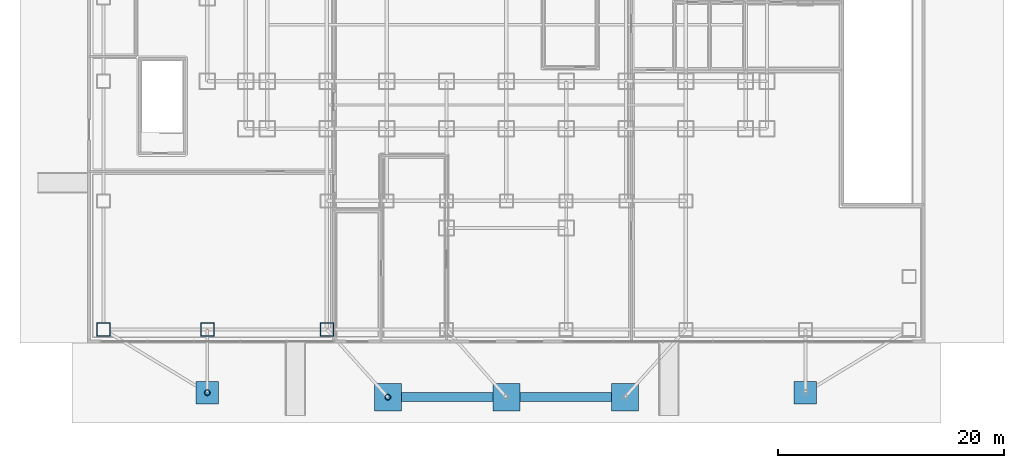
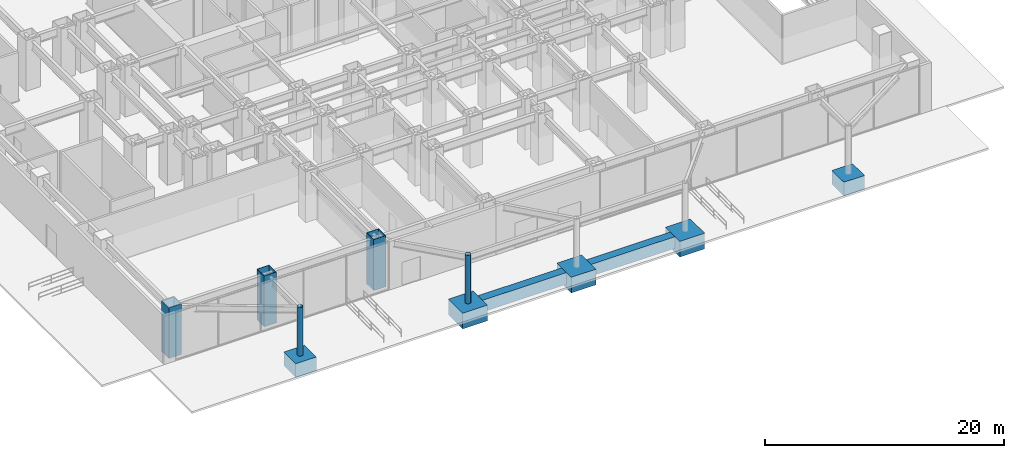
# One storey, part 1 of 18: 7 footings, 5 columns.
"""IFC4 building model written with IfcOpenShell, lengths in metres."""

from ifc_helpers import new_model, si_unit, direction, frame, origin, origin_2d, place, context, subcontext, project, spatial, polyline, hollow_rectangle, hollow_circle, outline, extrude, material, layer, layer_set, material_profile, profile_set, type_object, element, save


model = new_model("IFC4")

# Units and contexts
model_context = context("Model", 3, precision=1e-05, world=origin(), true_north=direction((0.0, 1.0)))
body_context = subcontext(model_context, "Body", "Model", "MODEL_VIEW")
ifc_project = project(units=[si_unit("LENGTHUNIT", "METRE"), si_unit("AREAUNIT", "SQUARE_METRE"), si_unit("VOLUMEUNIT", "CUBIC_METRE"), si_unit("PLANEANGLEUNIT", "RADIAN"), si_unit("MASSUNIT", "GRAM", prefix="KILO")], contexts=[model_context])

# Site, building, storey
site_placement = place(None, origin())
site = spatial("IfcSite", under=ifc_project, at=site_placement, CompositionType="ELEMENT")
building_placement = place(site_placement, origin())
building = spatial("IfcBuilding", under=site, at=building_placement, Name="Qianlan Lanfeng Residences", CompositionType="ELEMENT")
storey_placement = place(building_placement, origin())
storey = spatial("IfcBuildingStorey", under=building, at=storey_placement, Name="L00", CompositionType="ELEMENT", Elevation=0.0)

# Footings
ifc_material_1 = material(Name="Concrete C49", Category="concrete")
ifc_layer_1 = layer(ifc_material_1, 1.199951171875)
ifc_layer_set_1 = layer_set([ifc_layer_1], Name="Concrete C49")
footing_type_1 = type_object("IfcFootingType", Name="FT-GB-1200", PredefinedType="FOOTING_BEAM", material=ifc_layer_set_1)
footing_1_placement = place(storey_placement, frame((0.0, 0.0, -1.199951171875)))
element("IfcFooting", 1, at=footing_1_placement, inside=storey, type_object=footing_type_1, Name="Canopy Tie Grade Beam S1", PredefinedType="FOOTING_BEAM", context=body_context, shape_type="SweptSolid", body=[
    extrude(outline(polyline([(17.199951171875, -13.60009765625), (25.300048828125, -13.60009765625), (25.300048828125, -12.800048828125), (17.199951171875, -12.800048828125), (17.199951171875, -13.60009765625)])), origin(), (0.0, 0.0, 1.0), 1.199951171875),
])
footing_2_placement = place(storey_placement, frame((0.0, 0.0, -1.199951171875)))
element("IfcFooting", 2, at=footing_2_placement, inside=storey, type_object=footing_type_1, Name="Canopy Tie Grade Beam S2", PredefinedType="FOOTING_BEAM", context=body_context, shape_type="SweptSolid", body=[
    extrude(outline(polyline([(27.699951171875, -13.60009765625), (35.800048828125, -13.60009765625), (35.800048828125, -12.800048828125), (27.699951171875, -12.800048828125), (27.699951171875, -13.60009765625)])), origin(), (0.0, 0.0, 1.0), 1.199951171875),
])
ifc_layer_2 = layer(ifc_material_1, 1.39990234375)
ifc_layer_set_2 = layer_set([ifc_layer_2], Name="Concrete C49")
footing_type_2 = type_object("IfcFootingType", Name="FT-PAD-1400", PredefinedType="PAD_FOOTING", material=ifc_layer_set_2)
footing_3_placement = place(storey_placement, frame((0.0, 0.0, -1.39990234375)))
element("IfcFooting", 3, at=footing_3_placement, inside=storey, type_object=footing_type_2, Name="Plaza Canopy Pad Footing PLZ-W2", PredefinedType="PAD_FOOTING", context=body_context, shape_type="SweptSolid", body=[
    extrude(outline(polyline([(-1.0, -13.800048828125), (1.0, -13.800048828125), (1.0, -11.800048828125), (-1.0, -11.800048828125), (-1.0, -13.800048828125)])), origin(), (0.0, 0.0, 1.0), 1.39990234375),
])
footing_4_placement = place(storey_placement, frame((0.0, 0.0, -1.39990234375)))
element("IfcFooting", 4, at=footing_4_placement, inside=storey, type_object=footing_type_2, Name="Plaza Canopy Pad Footing PLZ-E2", PredefinedType="PAD_FOOTING", context=body_context, shape_type="SweptSolid", body=[
    extrude(outline(polyline([(52.0, -13.800048828125), (54.0, -13.800048828125), (54.0, -11.800048828125), (52.0, -11.800048828125), (52.0, -13.800048828125)])), origin(), (0.0, 0.0, 1.0), 1.39990234375),
])
ifc_layer_3 = layer(ifc_material_1, 1.60009765625)
ifc_layer_set_3 = layer_set([ifc_layer_3], Name="Concrete C49")
footing_type_3 = type_object("IfcFootingType", Name="FT-PAD-1600", PredefinedType="PAD_FOOTING", material=ifc_layer_set_3)
footing_5_placement = place(storey_placement, frame((0.0, 0.0, -1.60009765625)))
element("IfcFooting", 5, at=footing_5_placement, inside=storey, type_object=footing_type_3, Name="Plaza Canopy Pad Footing CAN-W1", PredefinedType="PAD_FOOTING", context=body_context, shape_type="SweptSolid", body=[
    extrude(outline(polyline([(14.800048828125, -14.39990234375), (17.199951171875, -14.39990234375), (17.199951171875, -12.0), (14.800048828125, -12.0), (14.800048828125, -14.39990234375)])), origin(), (0.0, 0.0, 1.0), 1.60009765625),
])
footing_6_placement = place(storey_placement, frame((0.0, 0.0, -1.60009765625)))
element("IfcFooting", 6, at=footing_6_placement, inside=storey, type_object=footing_type_3, Name="Plaza Canopy Pad Footing CAN-C1", PredefinedType="PAD_FOOTING", context=body_context, shape_type="SweptSolid", body=[
    extrude(outline(polyline([(25.300048828125, -14.39990234375), (27.699951171875, -14.39990234375), (27.699951171875, -12.0), (25.300048828125, -12.0), (25.300048828125, -14.39990234375)])), origin(), (0.0, 0.0, 1.0), 1.60009765625),
])
footing_7_placement = place(storey_placement, frame((0.0, 0.0, -1.60009765625)))
element("IfcFooting", 7, at=footing_7_placement, inside=storey, type_object=footing_type_3, Name="Plaza Canopy Pad Footing CAN-E1", PredefinedType="PAD_FOOTING", context=body_context, shape_type="SweptSolid", body=[
    extrude(outline(polyline([(35.800048828125, -14.39990234375), (38.199951171875, -14.39990234375), (38.199951171875, -12.0), (35.800048828125, -12.0), (35.800048828125, -14.39990234375)])), origin(), (0.0, 0.0, 1.0), 1.60009765625),
])

# Columns
ifc_material_2 = material(Name="Steel SM570 (420 MPa)", Category="steel")
ifc_material_profile_1 = material_profile(ifc_material_2, hollow_rectangle(XDim=1.199951171875, YDim=1.199951171875, WallThickness=0.0400390625, at=origin_2d()), Name="BOX 1200x1200x40")
ifc_profile_set_1 = profile_set([ifc_material_profile_1], Name="Steel SM570 (420 MPa)")
column_type_1 = type_object("IfcColumnType", Name="CE-B1400", PredefinedType="COLUMN", material=ifc_profile_set_1)
column_placement = place(storey_placement, frame((-9.199951171875, -7.199951171875, 0.0), z_axis=(0.0, 0.0, 1.0), x_axis=(1.0, 0.0, 0.0)))
element("IfcColumn", 8, at=column_placement, inside=storey, type_object=column_type_1, Name="L00 Structural Column P_-9.2_-7.2", PredefinedType="COLUMN", context=body_context, shape_type="SweptSolid", body=[
    extrude(hollow_rectangle(XDim=1.199951171875, YDim=1.199951171875, WallThickness=0.0400390625, at=origin_2d()), origin(), (0.0, 0.0, 1.0), 5.1640625),
])
for number, where, z_axis, x_axis, name in (
    (9, (0.0, -7.199951171875, 0.0), (0.0, 0.0, 1.0), (1.0, 0.0, 0.0), "L00 Structural Column P_+0.0_-7.2"),
    (10, (10.60009765625, -7.199951171875, 0.0), (0.0, 0.0, 1.0), (1.0, 0.0, 0.0), "L00 Structural Column P_+10.6_-7.2"),
):
    element("IfcColumn", number, at=place(storey_placement, frame(where, z_axis=z_axis, x_axis=x_axis)), inside=storey, type_object=column_type_1, Name=name, PredefinedType="COLUMN", context=body_context, shape_type="SweptSolid", body=[
        extrude(hollow_rectangle(XDim=1.199951171875, YDim=1.199951171875, WallThickness=0.0400390625, at=origin_2d()), origin(), (0.0, 0.0, 1.0), 5.199951171875),
    ])
ifc_material_3 = material(Name="Steel SN490B", Category="steel")
ifc_material_profile_2 = material_profile(ifc_material_3, hollow_circle(Radius=0.25390625, WallThickness=0.02197265625, at=origin_2d()), Name="CHS 508x22")
ifc_profile_set_2 = profile_set([ifc_material_profile_2], Name="Steel SN490B")
column_type_2 = type_object("IfcColumnType", Name="CE-P508", PredefinedType="COLUMN", material=ifc_profile_set_2)
for number, where, z_axis, x_axis, name in (
    (11, (16.0, -13.199951171875, 0.0), (0.0, 0.0, 1.0), (1.0, 0.0, 0.0), "L00 Entrance Canopy Column CAN-W1"),
    (12, (0.0, -12.800048828125, 0.0), (0.0, 0.0, 1.0), (1.0, 0.0, 0.0), "L00 Entrance Canopy Column PLZ-W2"),
):
    element("IfcColumn", number, at=place(storey_placement, frame(where, z_axis=z_axis, x_axis=x_axis)), inside=storey, type_object=column_type_2, Name=name, PredefinedType="COLUMN", context=body_context, shape_type="SweptSolid", body=[
        extrude(hollow_circle(Radius=0.25390625, WallThickness=0.02197265625, at=origin_2d()), origin(), (0.0, 0.0, 1.0), 4.9599609375),
    ])

save(model, "model.ifc")
